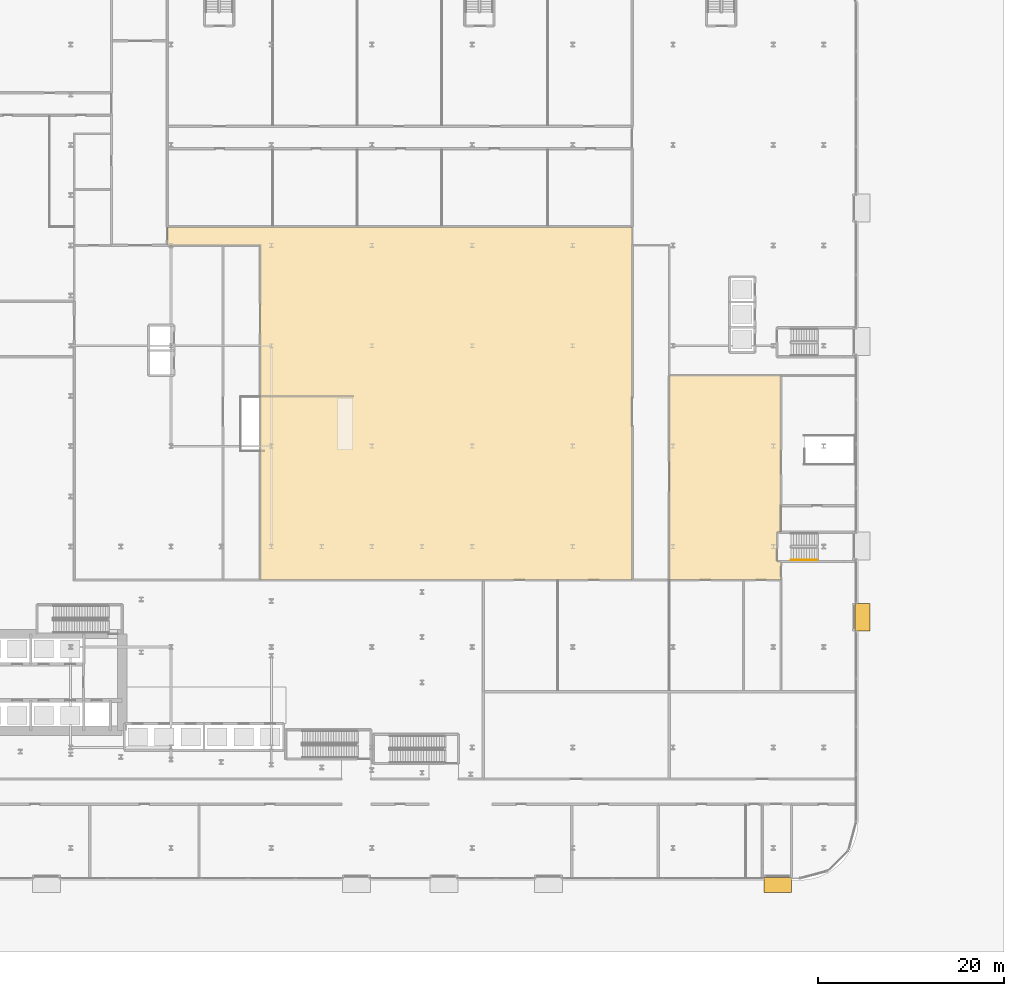
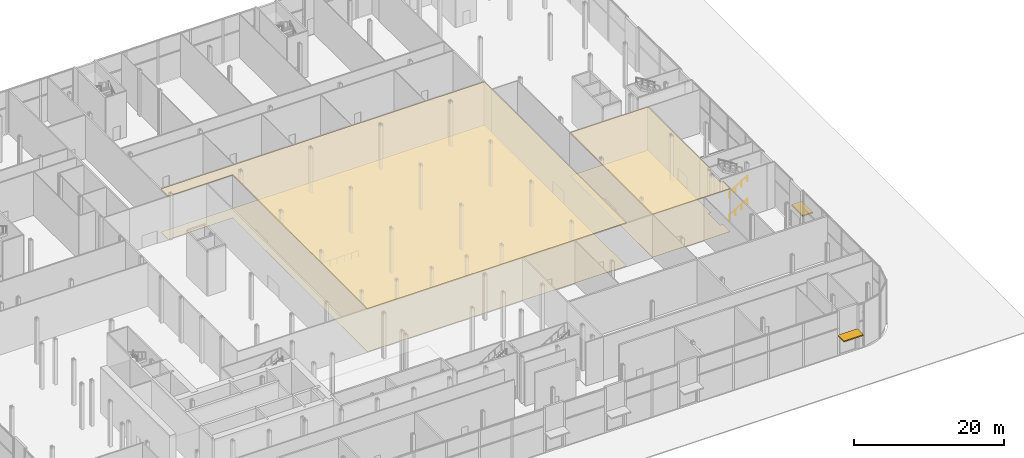
# One storey, part 39 of 46: 4 coverings, 2 railings, 2 shading devices.
"""IFC4 building model written with IfcOpenShell, lengths in metres."""

from ifc_helpers import new_model, si_unit, direction, frame, origin, origin_2d, place, context, subcontext, project, spatial, polyline, rectangle, circle, outline, extrude, material, layer, layer_set, type_object, element, save


model = new_model("IFC4")

# Units and contexts
model_context = context("Model", 3, precision=1e-05, world=origin(), true_north=direction((0.0, 1.0)))
body_context = subcontext(model_context, "Body", "Model", "MODEL_VIEW")
ifc_project = project(units=[si_unit("LENGTHUNIT", "METRE"), si_unit("AREAUNIT", "SQUARE_METRE"), si_unit("VOLUMEUNIT", "CUBIC_METRE"), si_unit("PLANEANGLEUNIT", "RADIAN"), si_unit("MASSUNIT", "GRAM", prefix="KILO")], contexts=[model_context])

# Site, building, storey
site_placement = place(None, origin())
site = spatial("IfcSite", under=ifc_project, at=site_placement, CompositionType="ELEMENT")
building_placement = place(site_placement, origin())
building = spatial("IfcBuilding", under=site, at=building_placement, Name="Kheshtan School and Residences Tower", CompositionType="ELEMENT")
storey_placement = place(building_placement, origin())
storey = spatial("IfcBuildingStorey", under=building, at=storey_placement, Name="L00", CompositionType="ELEMENT", Elevation=0.0)

# Shading devices
ifc_material_1 = material(Name="Zinc standing seam on insulated deck")
ifc_layer_1 = layer(ifc_material_1, 0.10009765625)
ifc_layer_set_1 = layer_set([ifc_layer_1], Name="Canopy awning")
shading_device_type = type_object("IfcShadingDeviceType", Name="Canopy awning", PredefinedType="AWNING", material=ifc_layer_set_1)
for number, where, z_axis, x_axis, name in (
    (1, (132.800048828125, 38.0, 3.0), (0.0, 0.0, 1.0), (0.0, -1.0, 0.0), "Entrance canopy 8.7"),
    (2, (123.659912109375, 9.199951171875, 3.0), (0.0, 0.0, 1.0), (-1.0, 0.0, 0.0), "Entrance canopy 12.1"),
):
    element("IfcShadingDevice", number, at=place(storey_placement, frame(where, z_axis=z_axis, x_axis=x_axis)), inside=storey, type_object=shading_device_type, Name=name, PredefinedType="AWNING", context=body_context, shape_type="SweptSolid", body=[
        extrude(rectangle(XDim=3.0, YDim=1.60009765625, at=origin_2d()), origin(), (0.0, 0.0, 1.0), 0.199951171875),
    ])

# Railings
ifc_material_2 = material(Name="Stainless steel handrail", Category="steel")
railing_type = type_object("IfcRailingType", Name="Stair handrail 900", PredefinedType="HANDRAIL", material=ifc_material_2)
for number, where, name in (
    (3, (125.10009765625, 44.14990234375, 0.17041015625), "L00 PS-124-044 stair handrail 1"),
    (4, (125.10009765625, 44.14990234375, 3.92041015625), "L00 PS-124-044 stair handrail 3"),
):
    element("IfcRailing", number, at=place(storey_placement, frame(where)), inside=storey, type_object=railing_type, Name=name, PredefinedType="HANDRAIL", context=body_context, shape_type="SweptSolid", body=[
        extrude(circle(Radius=0.02392578125, at=origin_2d()), frame((0.0, 0.0, 0.8759765625), z_axis=(0.854149651119, 0.0, 0.520027281489), x_axis=(0.0, 1.0, 0.0)), (0.0, 0.0, 1.0), 3.27783203125),
        extrude(circle(Radius=0.02099609375, at=origin_2d()), origin(), (0.0, 0.0, 1.0), 0.851806640625),
        extrude(circle(Radius=0.02099609375, at=origin_2d()), frame((0.933349609375, 0.0, 0.568115234375)), (0.0, 0.0, 1.0), 0.851806640625),
        extrude(circle(Radius=0.02099609375, at=origin_2d()), frame((1.866455078125, 0.0, 1.136474609375)), (0.0, 0.0, 1.0), 0.851806640625),
        extrude(circle(Radius=0.02099609375, at=origin_2d()), frame((2.7998046875, 0.0, 1.70458984375)), (0.0, 0.0, 1.0), 0.851806640625),
    ])

# Coverings
ifc_material_3 = material(Name="Polished granite paving on screed", Category="masonry")
ifc_layer_2 = layer(ifc_material_3, 0.030029296875)
ifc_layer_set_2 = layer_set([ifc_layer_2], Name="Stone floor finish 30")
covering_type_1 = type_object("IfcCoveringType", Name="Stone floor finish 30", PredefinedType="FLOORING", material=ifc_layer_set_2)
covering_1_placement = place(storey_placement, origin())
element("IfcCovering", 5, at=covering_1_placement, inside=storey, type_object=covering_type_1, Name="Floor finish Concourse L00", PredefinedType="FLOORING", context=body_context, shape_type="SweptSolid", body=[
    extrude(outline(polyline([(108.0, 42.0), (68.0, 42.0), (68.0, 78.0), (64.0, 78.0), (58.0, 78.0), (58.0, 80.0), (69.364013671875, 80.0), (78.455078125, 80.0), (87.544921875, 80.0), (98.908935546875, 80.0), (108.0, 80.0), (108.0, 78.0), (108.0, 42.0)])), origin(), (0.0, 0.0, 1.0), 0.030029296875),
])
covering_2_placement = place(storey_placement, origin())
element("IfcCovering", 6, at=covering_2_placement, inside=storey, type_object=covering_type_1, Name="Floor finish Unpaid Concourse East L00", PredefinedType="FLOORING", context=body_context, shape_type="SweptSolid", body=[
    extrude(outline(polyline([(123.60009765625, 47.14990234375), (123.60009765625, 44.0), (124.0, 44.0), (124.0, 42.0), (112.0, 42.0), (112.0, 64.0), (124.0, 64.0), (124.0, 47.14990234375), (123.60009765625, 47.14990234375)])), origin(), (0.0, 0.0, 1.0), 0.030029296875),
])
ifc_material_4 = material(Name="Plasterboard ceiling tiles on metal grid")
ifc_layer_3 = layer(ifc_material_4, 0.14990234375)
ifc_layer_set_3 = layer_set([ifc_layer_3], Name="Suspended ceiling 150 plasterboard tiles")
covering_type_2 = type_object("IfcCoveringType", Name="Suspended ceiling 150 plasterboard tiles", PredefinedType="CEILING", material=ifc_layer_set_3)
covering_3_placement = place(storey_placement, frame((0.0, 0.0, 6.929931640625)))
element("IfcCovering", 7, at=covering_3_placement, inside=storey, type_object=covering_type_2, Name="Ceiling Concourse L00", PredefinedType="CEILING", context=body_context, shape_type="SweptSolid", body=[
    extrude(outline(polyline([(108.0, 42.0), (68.0, 42.0), (68.0, 78.0), (64.0, 78.0), (58.0, 78.0), (58.0, 80.0), (69.364013671875, 80.0), (78.455078125, 80.0), (87.544921875, 80.0), (98.908935546875, 80.0), (108.0, 80.0), (108.0, 78.0), (108.0, 42.0)])), origin(), (0.0, 0.0, 1.0), 0.150146484375),
])
covering_4_placement = place(storey_placement, frame((0.0, 0.0, 6.929931640625)))
element("IfcCovering", 8, at=covering_4_placement, inside=storey, type_object=covering_type_2, Name="Ceiling Unpaid Concourse East L00", PredefinedType="CEILING", context=body_context, shape_type="SweptSolid", body=[
    extrude(outline(polyline([(123.60009765625, 47.14990234375), (123.60009765625, 44.0), (124.0, 44.0), (124.0, 42.0), (112.0, 42.0), (112.0, 64.0), (124.0, 64.0), (124.0, 47.14990234375), (123.60009765625, 47.14990234375)])), origin(), (0.0, 0.0, 1.0), 0.150146484375),
])

save(model, "model.ifc")
